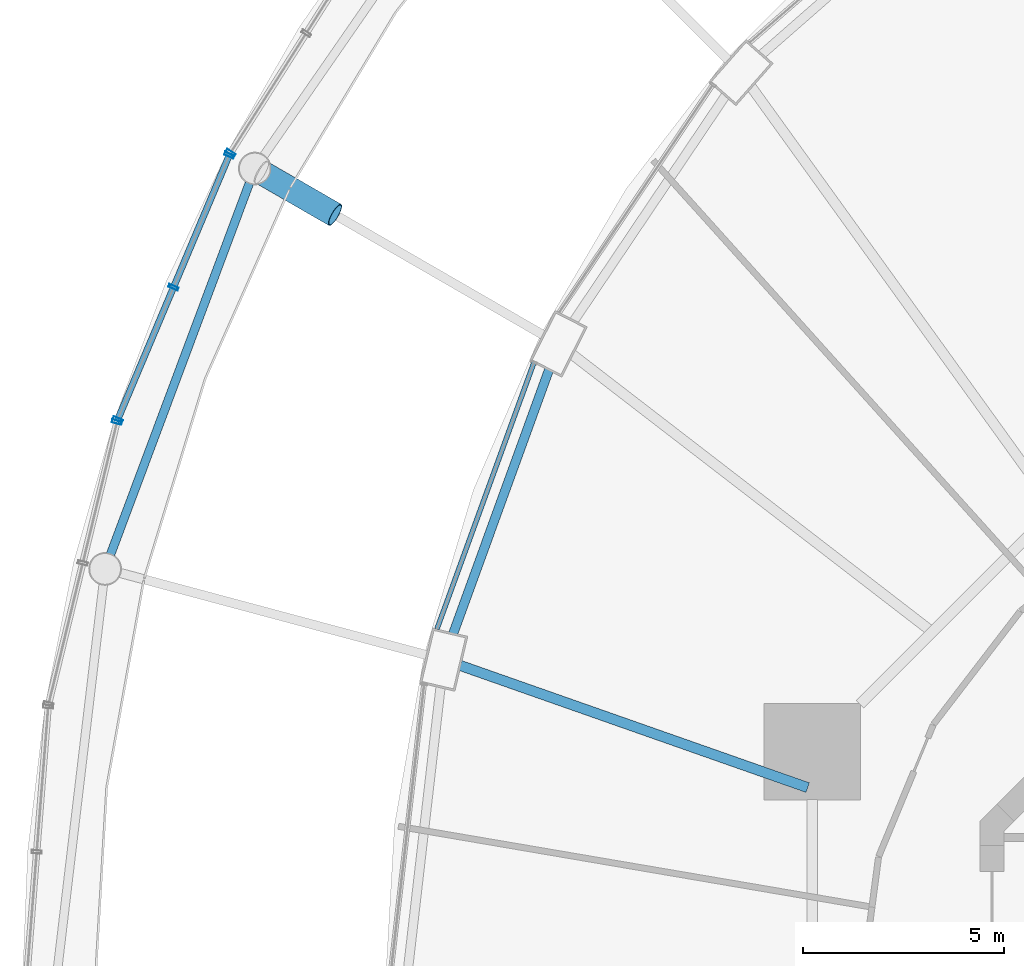
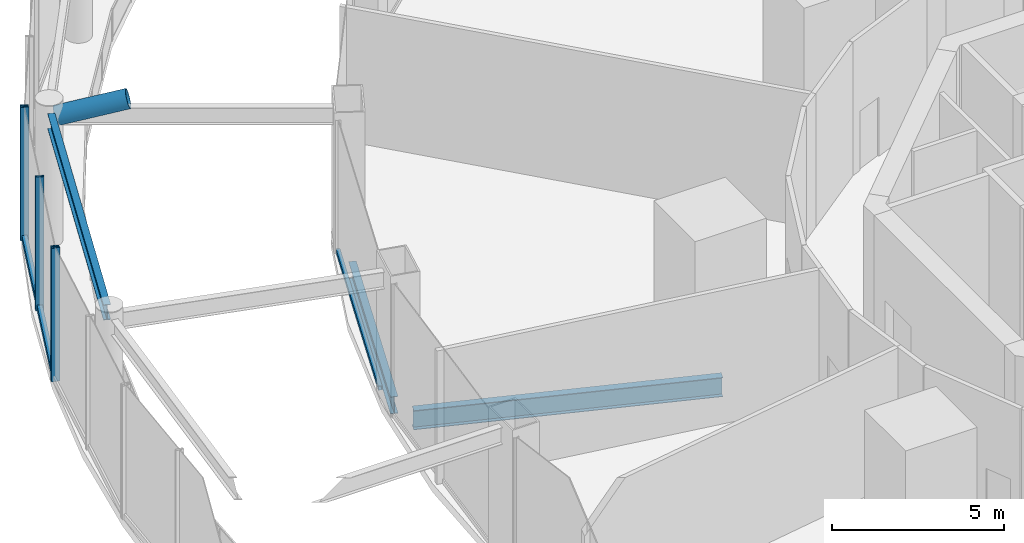
# One storey, part 22 of 52: 8 members, 3 beams, 4 elements without a shape of their own.
"""IFC4 building model written with IfcOpenShell, lengths in metres."""

from ifc_helpers import new_model, si_unit, direction, frame, origin, origin_2d, place, context, subcontext, project, spatial, hollow_rectangle, hollow_circle, i_section, extrude, material, layer, layer_set, material_profile, profile_set, type_object, element, aggregate, save


model = new_model("IFC4")

# Units and contexts
model_context = context("Model", 3, precision=1e-05, world=origin(), true_north=direction((0.0, 1.0)))
body_context = subcontext(model_context, "Body", "Model", "MODEL_VIEW")
ifc_project = project(units=[si_unit("LENGTHUNIT", "METRE"), si_unit("AREAUNIT", "SQUARE_METRE"), si_unit("VOLUMEUNIT", "CUBIC_METRE"), si_unit("PLANEANGLEUNIT", "RADIAN"), si_unit("MASSUNIT", "GRAM", prefix="KILO")], contexts=[model_context])

# Site, building, storey
site_placement = place(None, origin())
site = spatial("IfcSite", under=ifc_project, at=site_placement, CompositionType="ELEMENT")
building_placement = place(site_placement, origin())
building = spatial("IfcBuilding", under=site, at=building_placement, Name="Nagisa Residences", CompositionType="ELEMENT")
storey_placement = place(building_placement, frame((0.0, 0.0, 22.0)))
storey = spatial("IfcBuildingStorey", under=building, at=storey_placement, Name="L04", CompositionType="ELEMENT", Elevation=22.0)

# Beam
ifc_material_1 = material(Name="Steel ASTM A572 Gr 50", Category="steel")
ifc_material_profile_1 = material_profile(ifc_material_1, i_section(OverallWidth=0.214111328125, OverallDepth=0.549072265625, WebThickness=0.0146484375, FlangeThickness=0.023681640625, at=origin_2d()), Name="W530x138")
ifc_profile_set_1 = profile_set([ifc_material_profile_1], Name="Steel ASTM A572 Gr 50")
beam_type_1 = type_object("IfcBeamType", Name="Atrium ring beam W530x138", PredefinedType="BEAM", material=ifc_profile_set_1)
beam_1_placement = place(storey_placement, frame((-28.75146484375, 20.238037109375, 4.4755859375), z_axis=(-0.350304540877, -0.936635857012, 0.0), x_axis=(0.936635857012, -0.350304540877, 0.0)))
element("IfcBeam", 1, at=beam_1_placement, inside=storey, type_object=beam_type_1, Name="beam:L04:rab11", PredefinedType="BEAM", context=body_context, shape_type="SweptSolid", body=[
    extrude(i_section(OverallWidth=0.214111328125, OverallDepth=0.549072265625, WebThickness=0.0146484375, FlangeThickness=0.023681640625, at=origin_2d()), origin(), (0.0, 0.0, 1.0), 9.8359375),
])

# Curtain wall, member
ifc_material_2 = material(Name="Stainless steel curtain wall system", Category="steel")
ifc_layer_1 = layer(ifc_material_2, 0.159912109375)
ifc_layer_set_1 = layer_set([ifc_layer_1], Name="CW3 CURTAIN WALL")
curtain_wall_type_1 = type_object("IfcCurtainWallType", Name="CW3 CURTAIN WALL", PredefinedType="NOTDEFINED", material=ifc_layer_set_1)
curtain_wall_1_placement = place(storey_placement, origin())
curtain_wall_1 = element("IfcCurtainWall", 2, at=curtain_wall_1_placement, inside=storey, type_object=curtain_wall_type_1, Name="cw:CW3:L04:14", PredefinedType="NOTDEFINED")
ifc_material_3 = material(Name="Stainless steel", Category="steel")
ifc_material_profile_2 = material_profile(ifc_material_3, hollow_rectangle(XDim=0.25, YDim=0.080078125, WallThickness=0.008056640625, at=origin_2d()), Name="CW3 MULLION 250x80")
ifc_profile_set_2 = profile_set([ifc_material_profile_2], Name="Stainless steel")
member_type_1 = type_object("IfcMemberType", Name="CW3 MULLION 250x80", PredefinedType="MULLION", material=ifc_profile_set_2)
member_1_placement = place(storey_placement, frame((-29.219970703125, 20.990966796875, 0.0), z_axis=(0.0, 0.0, 1.0), x_axis=(0.844747368001, -0.535165286856, 0.0)))
member_1 = element("IfcMember", 3, at=member_1_placement, type_object=member_type_1, Name="CW3 mullion", PredefinedType="MULLION", context=body_context, shape_type="SweptSolid", body=[
    extrude(hollow_rectangle(XDim=0.25, YDim=0.080078125, WallThickness=0.008056640625, at=origin_2d()), origin(), (0.0, 0.0, 1.0), 4.739990234375),
])
aggregate(curtain_wall_1, [member_1])

# Curtain wall, members
curtain_wall_2_placement = place(storey_placement, origin())
curtain_wall_2 = element("IfcCurtainWall", 4, at=curtain_wall_2_placement, inside=storey, type_object=curtain_wall_type_1, Name="cw:CW3:L04:15", PredefinedType="NOTDEFINED")
member_2_placement = place(storey_placement, frame((-29.250732421875, 20.93212890625, 0.0), z_axis=(0.0, 0.0, 1.0), x_axis=(0.921356767819, -0.388718029417, 0.0)))
member_2 = element("IfcMember", 5, at=member_2_placement, type_object=member_type_1, Name="CW3 mullion", PredefinedType="MULLION", context=body_context, shape_type="SweptSolid", body=[
    extrude(hollow_rectangle(XDim=0.25, YDim=0.080078125, WallThickness=0.008056640625, at=origin_2d()), origin(), (0.0, 0.0, 1.0), 4.739990234375),
])
member_3_placement = place(storey_placement, frame((-30.635009765625, 17.6513671875, 0.0), z_axis=(0.0, 0.0, 1.0), x_axis=(0.921356767819, -0.388718029417, 0.0)))
member_3 = element("IfcMember", 6, at=member_3_placement, type_object=member_type_1, Name="CW3 mullion", PredefinedType="MULLION", context=body_context, shape_type="SweptSolid", body=[
    extrude(hollow_rectangle(XDim=0.25, YDim=0.080078125, WallThickness=0.008056640625, at=origin_2d()), origin(), (0.0, 0.0, 1.0), 4.739990234375),
])
member_4_placement = place(storey_placement, frame((-32.01904296875, 14.37060546875, 0.0), z_axis=(0.0, 0.0, 1.0), x_axis=(0.921356767819, -0.388718029417, 0.0)))
member_4 = element("IfcMember", 7, at=member_4_placement, type_object=member_type_1, Name="CW3 mullion", PredefinedType="MULLION", context=body_context, shape_type="SweptSolid", body=[
    extrude(hollow_rectangle(XDim=0.25, YDim=0.080078125, WallThickness=0.008056640625, at=origin_2d()), origin(), (0.0, 0.0, 1.0), 4.739990234375),
])

# Curtain wall, member
curtain_wall_3_placement = place(storey_placement, origin())
curtain_wall_3 = element("IfcCurtainWall", 8, at=curtain_wall_3_placement, inside=storey, type_object=curtain_wall_type_1, Name="cw:CW3:L04:16", PredefinedType="NOTDEFINED")
member_5_placement = place(storey_placement, frame((-32.0400390625, 14.30712890625, 0.0), z_axis=(0.0, 0.0, 1.0), x_axis=(0.971848775146, -0.235605514043, 0.0)))
member_5 = element("IfcMember", 9, at=member_5_placement, type_object=member_type_1, Name="CW3 mullion", PredefinedType="MULLION", context=body_context, shape_type="SweptSolid", body=[
    extrude(hollow_rectangle(XDim=0.25, YDim=0.080078125, WallThickness=0.008056640625, at=origin_2d()), origin(), (0.0, 0.0, 1.0), 4.739990234375),
])
aggregate(curtain_wall_3, [member_5])

# Member
ifc_material_4 = material(Name="Stainless steel", Category="steel")
ifc_material_profile_3 = material_profile(ifc_material_4, hollow_rectangle(XDim=0.159912109375, YDim=0.199951171875, WallThickness=0.008056640625, at=origin_2d()), Name="CW3 TRANSOM 160x200")
ifc_profile_set_3 = profile_set([ifc_material_profile_3], Name="Stainless steel")
member_type_2 = type_object("IfcMemberType", Name="CW3 TRANSOM 160x200", PredefinedType="USERDEFINED", material=ifc_profile_set_3)
member_6_placement = place(storey_placement, frame((-29.2353515625, 20.968994140625, 0.10009765625), z_axis=(-0.388708599467, -0.921360746234, 0.0), x_axis=(0.921360746234, -0.388708599467, 0.0)))
member_6 = element("IfcMember", 10, at=member_6_placement, type_object=member_type_2, Name="CW3 transom", ObjectType="TRANSOM", PredefinedType="USERDEFINED", context=body_context, shape_type="SweptSolid", body=[
    extrude(hollow_rectangle(XDim=0.159912109375, YDim=0.199951171875, WallThickness=0.008056640625, at=origin_2d()), origin(), (0.0, 0.0, 1.0), 7.20166015625),
])

aggregate(curtain_wall_2, [member_2, member_3, member_4, member_6])

# Curtain wall, member
ifc_material_5 = material(Name="Stainless steel curtain wall system", Category="steel")
ifc_layer_2 = layer(ifc_material_5, 0.159912109375)
ifc_layer_set_2 = layer_set([ifc_layer_2], Name="CW6 CURTAIN WALL")
curtain_wall_type_2 = type_object("IfcCurtainWallType", Name="CW6 CURTAIN WALL", PredefinedType="NOTDEFINED", material=ifc_layer_set_2)
curtain_wall_4_placement = place(storey_placement, origin())
curtain_wall_4 = element("IfcCurtainWall", 11, at=curtain_wall_4_placement, inside=storey, type_object=curtain_wall_type_2, Name="cw:CW6:L04:20", PredefinedType="NOTDEFINED")
ifc_material_6 = material(Name="Stainless steel", Category="steel")
ifc_material_profile_4 = material_profile(ifc_material_6, hollow_rectangle(XDim=0.1201171875, YDim=0.14990234375, WallThickness=0.008056640625, at=origin_2d()), Name="CW6 TRANSOM 120x150")
ifc_profile_set_4 = profile_set([ifc_material_profile_4], Name="Stainless steel")
member_type_3 = type_object("IfcMemberType", Name="CW6 TRANSOM 120x150", PredefinedType="USERDEFINED", material=ifc_profile_set_4)
member_7_placement = place(storey_placement, frame((-21.678955078125, 15.81494140625, 0.074951171875), z_axis=(-0.342039719013, -0.939685495587, 0.0), x_axis=(0.939685495587, -0.342039719013, 0.0)))
member_7 = element("IfcMember", 12, at=member_7_placement, type_object=member_type_3, Name="CW6 transom", ObjectType="TRANSOM", PredefinedType="USERDEFINED", context=body_context, shape_type="SweptSolid", body=[
    extrude(hollow_rectangle(XDim=0.1201171875, YDim=0.14990234375, WallThickness=0.008056640625, at=origin_2d()), origin(), (0.0, 0.0, 1.0), 7.070068359375),
])
aggregate(curtain_wall_4, [member_7])

# Member
ifc_material_7 = material(Name="Steel ASTM A572 Gr 65", Category="steel")
ifc_material_profile_5 = material_profile(ifc_material_7, hollow_circle(Radius=0.304931640625, WallThickness=0.02490234375, at=origin_2d()), Name="CHS 610x25")
ifc_profile_set_5 = profile_set([ifc_material_profile_5], Name="Steel ASTM A572 Gr 65")
member_type_4 = type_object("IfcMemberType", Name="Cage strut CHS 610x25", PredefinedType="STRUT", material=ifc_profile_set_5)
member_8_placement = place(storey_placement, frame((-26.624267578125, 19.449951171875, 5.0), z_axis=(-0.832677989233, 0.480782391152, -0.27476473319), x_axis=(-0.500027713859, -0.866009402589, 0.0)))
element("IfcMember", 13, at=member_8_placement, inside=storey, type_object=member_type_4, Name="mem:L04:cg1tie06", PredefinedType="STRUT", context=body_context, shape_type="SweptSolid", body=[
    extrude(hollow_circle(Radius=0.304931640625, WallThickness=0.02490234375, at=origin_2d()), origin(), (0.0, 0.0, 1.0), 2.18408203125),
])

# Beams
ifc_material_8 = material(Name="Steel ASTM A572 Gr 50", Category="steel")
ifc_material_profile_6 = material_profile(ifc_material_8, i_section(OverallWidth=0.22802734375, OverallDepth=0.60302734375, WebThickness=0.010498046875, FlangeThickness=0.014892578125, at=origin_2d()), Name="W610x101")
ifc_profile_set_6 = profile_set([ifc_material_profile_6], Name="Steel ASTM A572 Gr 50")
beam_type_2 = type_object("IfcBeamType", Name="Perimeter ring beam W610x101", PredefinedType="BEAM", material=ifc_profile_set_6)
beam_2_placement = place(storey_placement, frame((-21.315673828125, 15.60595703125, -0.6015625), z_axis=(-0.341411143183, -0.939914055279, 0.0), x_axis=(0.939914055279, -0.341411143183, 0.0)))
element("IfcBeam", 14, at=beam_2_placement, inside=storey, type_object=beam_type_2, Name="beam:L04:pb11", PredefinedType="BEAM", context=body_context, shape_type="SweptSolid", body=[
    extrude(i_section(OverallWidth=0.22802734375, OverallDepth=0.60302734375, WebThickness=0.010498046875, FlangeThickness=0.014892578125, at=origin_2d()), origin(), (0.0, 0.0, 1.0), 6.96923828125),
])
ifc_material_9 = material(Name="Steel ASTM A572 Gr 50", Category="steel")
ifc_material_profile_7 = material_profile(ifc_material_9, i_section(OverallWidth=0.25390625, OverallDepth=0.68408203125, WebThickness=0.012451171875, FlangeThickness=0.018798828125, at=origin_2d()), Name="W690x140")
ifc_profile_set_7 = profile_set([ifc_material_profile_7], Name="Steel ASTM A572 Gr 50")
beam_type_3 = type_object("IfcBeamType", Name="Radial beam W690x140", PredefinedType="BEAM", material=ifc_profile_set_7)
beam_3_placement = place(storey_placement, frame((-23.520751953125, 8.26806640625, -0.64208984375), z_axis=(0.943414535235, -0.331615763659, 0.0), x_axis=(0.331615763659, 0.943414535235, 0.0)))
element("IfcBeam", 15, at=beam_3_placement, inside=storey, type_object=beam_type_3, Name="beam:L04:rb12", PredefinedType="BEAM", context=body_context, shape_type="SweptSolid", body=[
    extrude(i_section(OverallWidth=0.25390625, OverallDepth=0.68408203125, WebThickness=0.012451171875, FlangeThickness=0.018798828125, at=origin_2d()), origin(), (0.0, 0.0, 1.0), 9.142333984375),
])

save(model, "model.ifc")
